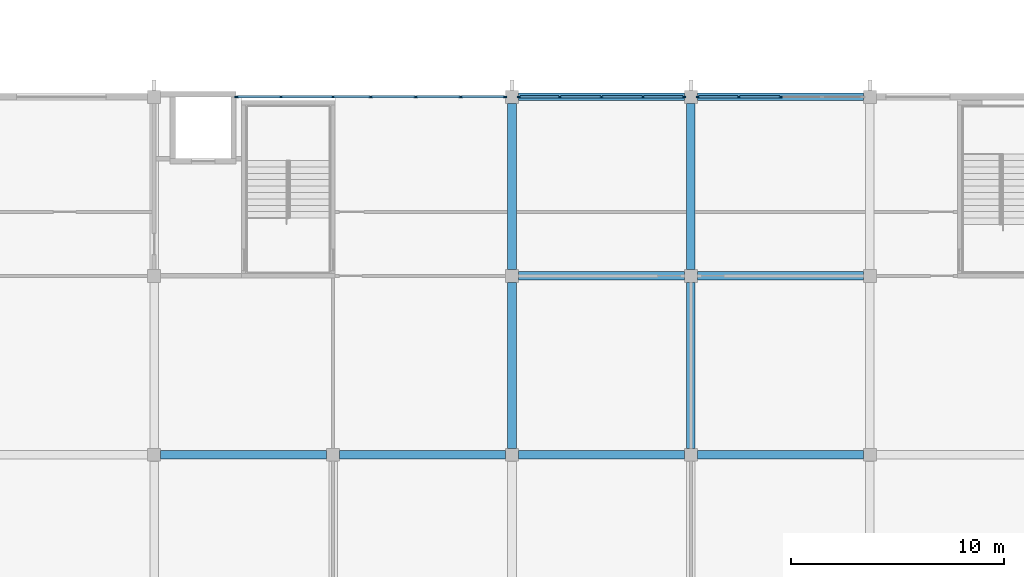
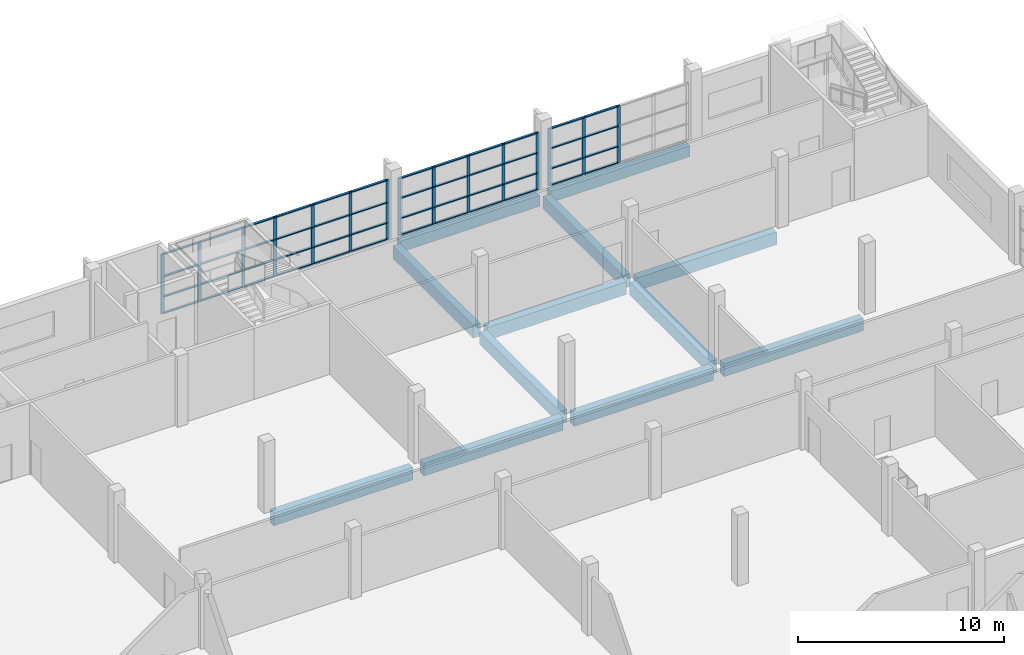
# One storey, part 5 of 56: 63 members, 12 beams, 3 elements without a shape of their own.
"""IFC4 building model written with IfcOpenShell, lengths in metres."""

from ifc_helpers import new_model, si_unit, direction, frame, origin, origin_2d, place, context, subcontext, project, spatial, rectangle, extrude, material, layer, layer_set, material_profile, profile_set, type_object, element, aggregate, save


model = new_model("IFC4")

# Units and contexts
model_context = context("Model", 3, precision=1e-05, world=origin(), true_north=direction((0.0, 1.0)))
body_context = subcontext(model_context, "Body", "Model", "MODEL_VIEW")
ifc_project = project(units=[si_unit("LENGTHUNIT", "METRE"), si_unit("AREAUNIT", "SQUARE_METRE"), si_unit("VOLUMEUNIT", "CUBIC_METRE"), si_unit("PLANEANGLEUNIT", "RADIAN"), si_unit("MASSUNIT", "GRAM", prefix="KILO")], contexts=[model_context])

# Site, building, storey
site_placement = place(None, origin())
site = spatial("IfcSite", under=ifc_project, at=site_placement, CompositionType="ELEMENT")
building_placement = place(site_placement, origin())
building = spatial("IfcBuilding", under=site, at=building_placement, Name="Rulbaag Community and Learning Centre", CompositionType="ELEMENT")
storey_placement = place(building_placement, frame((0.0, 0.0, 9.89990234375)))
storey = spatial("IfcBuildingStorey", under=building, at=storey_placement, Name="L02", CompositionType="ELEMENT", Elevation=9.89990234375)

# Beams
ifc_material_1 = material(Name="Concrete M40", Category="concrete")
ifc_material_profile_1 = material_profile(ifc_material_1, rectangle(XDim=0.39990234375, YDim=0.75, at=origin_2d()), Name="RB400x750")
ifc_profile_set_1 = profile_set([ifc_material_profile_1], Name="Concrete M40")
beam_type_1 = type_object("IfcBeamType", Name="B22 Classroom floor beam 400x750 Concrete M40", PredefinedType="BEAM", material=ifc_profile_set_1)
for number, where, z_axis, x_axis, name in (
    (1, (126.304931640625, 33.60009765625, -0.625), (1.0, 0.0, 0.0), (0.0, 1.0, 0.0), "BM-L02-16E-17E"),
    (2, (134.705078125, 33.60009765625, -0.625), (1.0, 0.0, 0.0), (0.0, 1.0, 0.0), "BM-L02-17E-18E"),
    (3, (143.10498046875, 33.60009765625, -0.625), (1.0, 0.0, 0.0), (0.0, 1.0, 0.0), "BM-L02-18E-19E"),
    (4, (142.800048828125, 33.905029296875, -0.625), (0.0, 1.0, 0.0), (-1.0, 0.0, 0.0), "BM-L02-18E-18F"),
    (5, (143.10498046875, 42.0, -0.625), (1.0, 0.0, 0.0), (0.0, 1.0, 0.0), "BM-L02-18F-19F"),
    (6, (142.800048828125, 42.304931640625, -0.625), (0.0, 1.0, 0.0), (-1.0, 0.0, 0.0), "BM-L02-18F-18G"),
    (7, (151.5048828125, 33.60009765625, -0.625), (1.0, 0.0, 0.0), (0.0, 1.0, 0.0), "BM-L02-19E-20E"),
    (8, (151.199951171875, 33.905029296875, -0.625), (0.0, 1.0, 0.0), (-1.0, 0.0, 0.0), "BM-L02-19E-19F"),
    (9, (151.5048828125, 42.0, -0.625), (1.0, 0.0, 0.0), (0.0, 1.0, 0.0), "BM-L02-19F-20F"),
    (10, (151.199951171875, 42.304931640625, -0.625), (0.0, 1.0, 0.0), (-1.0, 0.0, 0.0), "BM-L02-19F-19G"),
):
    element("IfcBeam", number, at=place(storey_placement, frame(where, z_axis=z_axis, x_axis=x_axis)), inside=storey, type_object=beam_type_1, Name=name, PredefinedType="BEAM", context=body_context, shape_type="SweptSolid", body=[
        extrude(rectangle(XDim=0.39990234375, YDim=0.75, at=origin_2d()), origin(), (0.0, 0.0, 1.0), 7.7900390625),
    ])
ifc_material_profile_2 = material_profile(ifc_material_1, rectangle(XDim=0.35009765625, YDim=0.64990234375, at=origin_2d()), Name="RB350x650")
ifc_profile_set_2 = profile_set([ifc_material_profile_2], Name="Concrete M40")
beam_type_2 = type_object("IfcBeamType", Name="B8 Hall wing edge beam 350x650 Concrete M40", PredefinedType="BEAM", material=ifc_profile_set_2)
for number, where, z_axis, x_axis, name in (
    (11, (143.10498046875, 50.39990234375, -0.574951171875), (1.0, 0.0, 0.0), (0.0, 1.0, 0.0), "BM-L02-18G-19G"),
    (12, (151.5048828125, 50.39990234375, -0.574951171875), (1.0, 0.0, 0.0), (0.0, 1.0, 0.0), "BM-L02-19G-20G"),
):
    element("IfcBeam", number, at=place(storey_placement, frame(where, z_axis=z_axis, x_axis=x_axis)), inside=storey, type_object=beam_type_2, Name=name, PredefinedType="BEAM", context=body_context, shape_type="SweptSolid", body=[
        extrude(rectangle(XDim=0.35009765625, YDim=0.64990234375, at=origin_2d()), origin(), (0.0, 0.0, 1.0), 7.7900390625),
    ])

# Curtain wall, members
ifc_material_2 = material(Name="Aluminium", Category="aluminium")
ifc_layer = layer(ifc_material_2, 0.14990234375)
ifc_layer_set = layer_set([ifc_layer], Name="CW-L")
curtain_wall_type = type_object("IfcCurtainWallType", Name="CW-L", PredefinedType="USERDEFINED", material=ifc_layer_set)
curtain_wall_1_placement = place(storey_placement, origin())
curtain_wall_1 = element("IfcCurtainWall", 13, at=curtain_wall_1_placement, inside=storey, type_object=curtain_wall_type, Name="GL-L02-03", ObjectType="STICK CURTAIN WALL", PredefinedType="USERDEFINED")
ifc_material_3 = material(Name="Aluminium mullion", Category="aluminium")
ifc_material_profile_3 = material_profile(ifc_material_3, rectangle(XDim=0.06494140625, YDim=0.175048828125, at=origin_2d()), Name="AL 65x175")
ifc_profile_set_3 = profile_set([ifc_material_profile_3], Name="Aluminium mullion")
member_type_1 = type_object("IfcMemberType", Name="CW-L-MUL", PredefinedType="MULLION", material=ifc_profile_set_3)
member_1_placement = place(storey_placement, frame((129.882568359375, 50.39990234375, 0.0), z_axis=(0.0, 0.0, 1.0), x_axis=(0.0, 1.0, 0.0)))
member_1 = element("IfcMember", 14, at=member_1_placement, type_object=member_type_1, Name="GL mullion 1", PredefinedType="MULLION", context=body_context, shape_type="SweptSolid", body=[
    extrude(rectangle(XDim=0.06494140625, YDim=0.175048828125, at=origin_2d()), origin(), (0.0, 0.0, 1.0), 3.550048828125),
])
member_2_placement = place(storey_placement, frame((131.958251953125, 50.39990234375, 0.0), z_axis=(0.0, 0.0, 1.0), x_axis=(0.0, 1.0, 0.0)))
member_2 = element("IfcMember", 15, at=member_2_placement, type_object=member_type_1, Name="GL mullion 2", PredefinedType="MULLION", context=body_context, shape_type="SweptSolid", body=[
    extrude(rectangle(XDim=0.06494140625, YDim=0.175048828125, at=origin_2d()), origin(), (0.0, 0.0, 1.0), 3.550048828125),
])
member_3_placement = place(storey_placement, frame((134.39990234375, 50.39990234375, 0.0), z_axis=(0.0, 0.0, 1.0), x_axis=(0.0, 1.0, 0.0)))
member_3 = element("IfcMember", 16, at=member_3_placement, type_object=member_type_1, Name="GL mullion 3", PredefinedType="MULLION", context=body_context, shape_type="SweptSolid", body=[
    extrude(rectangle(XDim=0.06494140625, YDim=0.175048828125, at=origin_2d()), origin(), (0.0, 0.0, 1.0), 3.550048828125),
])
member_4_placement = place(storey_placement, frame((136.175048828125, 50.39990234375, 0.0), z_axis=(0.0, 0.0, 1.0), x_axis=(0.0, 1.0, 0.0)))
member_4 = element("IfcMember", 17, at=member_4_placement, type_object=member_type_1, Name="GL mullion 4", PredefinedType="MULLION", context=body_context, shape_type="SweptSolid", body=[
    extrude(rectangle(XDim=0.06494140625, YDim=0.175048828125, at=origin_2d()), origin(), (0.0, 0.0, 1.0), 3.550048828125),
])
member_5_placement = place(storey_placement, frame((138.283447265625, 50.39990234375, 0.0), z_axis=(0.0, 0.0, 1.0), x_axis=(0.0, 1.0, 0.0)))
member_5 = element("IfcMember", 18, at=member_5_placement, type_object=member_type_1, Name="GL mullion 5", PredefinedType="MULLION", context=body_context, shape_type="SweptSolid", body=[
    extrude(rectangle(XDim=0.06494140625, YDim=0.175048828125, at=origin_2d()), origin(), (0.0, 0.0, 1.0), 3.550048828125),
])
member_6_placement = place(storey_placement, frame((140.3916015625, 50.39990234375, 0.0), z_axis=(0.0, 0.0, 1.0), x_axis=(0.0, 1.0, 0.0)))
member_6 = element("IfcMember", 19, at=member_6_placement, type_object=member_type_1, Name="GL mullion 6", PredefinedType="MULLION", context=body_context, shape_type="SweptSolid", body=[
    extrude(rectangle(XDim=0.06494140625, YDim=0.175048828125, at=origin_2d()), origin(), (0.0, 0.0, 1.0), 3.550048828125),
])
member_7_placement = place(storey_placement, frame((142.467529296875, 50.39990234375, 0.0), z_axis=(0.0, 0.0, 1.0), x_axis=(0.0, 1.0, 0.0)))
member_7 = element("IfcMember", 20, at=member_7_placement, type_object=member_type_1, Name="GL mullion 7", PredefinedType="MULLION", context=body_context, shape_type="SweptSolid", body=[
    extrude(rectangle(XDim=0.06494140625, YDim=0.175048828125, at=origin_2d()), origin(), (0.0, 0.0, 1.0), 3.550048828125),
])

curtain_wall_2_placement = place(storey_placement, origin())
curtain_wall_2 = element("IfcCurtainWall", 21, at=curtain_wall_2_placement, inside=storey, type_object=curtain_wall_type, Name="GL-L02-04", ObjectType="STICK CURTAIN WALL", PredefinedType="USERDEFINED")
member_8_placement = place(storey_placement, frame((143.132568359375, 50.39990234375, 0.0), z_axis=(0.0, 0.0, 1.0), x_axis=(0.0, 1.0, 0.0)))
member_8 = element("IfcMember", 22, at=member_8_placement, type_object=member_type_1, Name="GL mullion 1", PredefinedType="MULLION", context=body_context, shape_type="SweptSolid", body=[
    extrude(rectangle(XDim=0.06494140625, YDim=0.175048828125, at=origin_2d()), origin(), (0.0, 0.0, 1.0), 3.400146484375),
])
member_9_placement = place(storey_placement, frame((145.050048828125, 50.39990234375, 0.0), z_axis=(0.0, 0.0, 1.0), x_axis=(0.0, 1.0, 0.0)))
member_9 = element("IfcMember", 23, at=member_9_placement, type_object=member_type_1, Name="GL mullion 2", PredefinedType="MULLION", context=body_context, shape_type="SweptSolid", body=[
    extrude(rectangle(XDim=0.06494140625, YDim=0.175048828125, at=origin_2d()), origin(), (0.0, 0.0, 1.0), 3.400146484375),
])
member_10_placement = place(storey_placement, frame((147.0, 50.39990234375, 0.0), z_axis=(0.0, 0.0, 1.0), x_axis=(0.0, 1.0, 0.0)))
member_10 = element("IfcMember", 24, at=member_10_placement, type_object=member_type_1, Name="GL mullion 3", PredefinedType="MULLION", context=body_context, shape_type="SweptSolid", body=[
    extrude(rectangle(XDim=0.06494140625, YDim=0.175048828125, at=origin_2d()), origin(), (0.0, 0.0, 1.0), 3.400146484375),
])
member_11_placement = place(storey_placement, frame((148.949951171875, 50.39990234375, 0.0), z_axis=(0.0, 0.0, 1.0), x_axis=(0.0, 1.0, 0.0)))
member_11 = element("IfcMember", 25, at=member_11_placement, type_object=member_type_1, Name="GL mullion 4", PredefinedType="MULLION", context=body_context, shape_type="SweptSolid", body=[
    extrude(rectangle(XDim=0.06494140625, YDim=0.175048828125, at=origin_2d()), origin(), (0.0, 0.0, 1.0), 3.400146484375),
])
member_12_placement = place(storey_placement, frame((150.867431640625, 50.39990234375, 0.0), z_axis=(0.0, 0.0, 1.0), x_axis=(0.0, 1.0, 0.0)))
member_12 = element("IfcMember", 26, at=member_12_placement, type_object=member_type_1, Name="GL mullion 5", PredefinedType="MULLION", context=body_context, shape_type="SweptSolid", body=[
    extrude(rectangle(XDim=0.06494140625, YDim=0.175048828125, at=origin_2d()), origin(), (0.0, 0.0, 1.0), 3.400146484375),
])

curtain_wall_3_placement = place(storey_placement, origin())
curtain_wall_3 = element("IfcCurtainWall", 27, at=curtain_wall_3_placement, inside=storey, type_object=curtain_wall_type, Name="GL-L02-05", ObjectType="STICK CURTAIN WALL", PredefinedType="USERDEFINED")
member_13_placement = place(storey_placement, frame((151.532470703125, 50.39990234375, 0.0), z_axis=(0.0, 0.0, 1.0), x_axis=(0.0, 1.0, 0.0)))
member_13 = element("IfcMember", 28, at=member_13_placement, type_object=member_type_1, Name="GL mullion 1", PredefinedType="MULLION", context=body_context, shape_type="SweptSolid", body=[
    extrude(rectangle(XDim=0.06494140625, YDim=0.175048828125, at=origin_2d()), origin(), (0.0, 0.0, 1.0), 3.400146484375),
])
member_14_placement = place(storey_placement, frame((153.449951171875, 50.39990234375, 0.0), z_axis=(0.0, 0.0, 1.0), x_axis=(0.0, 1.0, 0.0)))
member_14 = element("IfcMember", 29, at=member_14_placement, type_object=member_type_1, Name="GL mullion 2", PredefinedType="MULLION", context=body_context, shape_type="SweptSolid", body=[
    extrude(rectangle(XDim=0.06494140625, YDim=0.175048828125, at=origin_2d()), origin(), (0.0, 0.0, 1.0), 3.400146484375),
])
member_15_placement = place(storey_placement, frame((155.39990234375, 50.39990234375, 0.0), z_axis=(0.0, 0.0, 1.0), x_axis=(0.0, 1.0, 0.0)))
member_15 = element("IfcMember", 30, at=member_15_placement, type_object=member_type_1, Name="GL mullion 3", PredefinedType="MULLION", context=body_context, shape_type="SweptSolid", body=[
    extrude(rectangle(XDim=0.06494140625, YDim=0.175048828125, at=origin_2d()), origin(), (0.0, 0.0, 1.0), 3.400146484375),
])

# Member
ifc_material_4 = material(Name="Aluminium transom", Category="aluminium")
ifc_material_profile_4 = material_profile(ifc_material_4, rectangle(XDim=0.125, YDim=0.06494140625, at=origin_2d()), Name="AL 65x125 T")
ifc_profile_set_4 = profile_set([ifc_material_profile_4], Name="Aluminium transom")
member_type_2 = type_object("IfcMemberType", Name="CW-L-TRN", PredefinedType="USERDEFINED", material=ifc_profile_set_4)
member_16_placement = place(storey_placement, frame((129.9150390625, 50.39990234375, 0.03271484375), z_axis=(1.0, 0.0, 0.0), x_axis=(0.0, 1.0, 0.0)))
member_16 = element("IfcMember", 31, at=member_16_placement, type_object=member_type_2, Name="GL transom 1.1", ObjectType="TRANSOM", PredefinedType="USERDEFINED", context=body_context, shape_type="SweptSolid", body=[
    extrude(rectangle(XDim=0.125, YDim=0.06494140625, at=origin_2d()), origin(), (0.0, 0.0, 1.0), 2.0107421875),
])

member_17_placement = place(storey_placement, frame((129.9150390625, 50.39990234375, 1.0), z_axis=(1.0, 0.0, 0.0), x_axis=(0.0, 1.0, 0.0)))
member_17 = element("IfcMember", 32, at=member_17_placement, type_object=member_type_2, Name="GL transom 1.2", ObjectType="TRANSOM", PredefinedType="USERDEFINED", context=body_context, shape_type="SweptSolid", body=[
    extrude(rectangle(XDim=0.125, YDim=0.06494140625, at=origin_2d()), origin(), (0.0, 0.0, 1.0), 2.0107421875),
])

member_18_placement = place(storey_placement, frame((129.9150390625, 50.39990234375, 2.2001953125), z_axis=(1.0, 0.0, 0.0), x_axis=(0.0, 1.0, 0.0)))
member_18 = element("IfcMember", 33, at=member_18_placement, type_object=member_type_2, Name="GL transom 1.3", ObjectType="TRANSOM", PredefinedType="USERDEFINED", context=body_context, shape_type="SweptSolid", body=[
    extrude(rectangle(XDim=0.125, YDim=0.06494140625, at=origin_2d()), origin(), (0.0, 0.0, 1.0), 2.0107421875),
])

member_19_placement = place(storey_placement, frame((129.9150390625, 50.39990234375, 3.517578125), z_axis=(1.0, 0.0, 0.0), x_axis=(0.0, 1.0, 0.0)))
member_19 = element("IfcMember", 34, at=member_19_placement, type_object=member_type_2, Name="GL transom 1.4", ObjectType="TRANSOM", PredefinedType="USERDEFINED", context=body_context, shape_type="SweptSolid", body=[
    extrude(rectangle(XDim=0.125, YDim=0.06494140625, at=origin_2d()), origin(), (0.0, 0.0, 1.0), 2.0107421875),
])

member_20_placement = place(storey_placement, frame((131.99072265625, 50.39990234375, 0.03271484375), z_axis=(1.0, 0.0, 0.0), x_axis=(0.0, 1.0, 0.0)))
member_20 = element("IfcMember", 35, at=member_20_placement, type_object=member_type_2, Name="GL transom 2.1", ObjectType="TRANSOM", PredefinedType="USERDEFINED", context=body_context, shape_type="SweptSolid", body=[
    extrude(rectangle(XDim=0.125, YDim=0.06494140625, at=origin_2d()), origin(), (0.0, 0.0, 1.0), 2.376708984375),
])

member_21_placement = place(storey_placement, frame((131.99072265625, 50.39990234375, 1.0), z_axis=(1.0, 0.0, 0.0), x_axis=(0.0, 1.0, 0.0)))
member_21 = element("IfcMember", 36, at=member_21_placement, type_object=member_type_2, Name="GL transom 2.2", ObjectType="TRANSOM", PredefinedType="USERDEFINED", context=body_context, shape_type="SweptSolid", body=[
    extrude(rectangle(XDim=0.125, YDim=0.06494140625, at=origin_2d()), origin(), (0.0, 0.0, 1.0), 2.376708984375),
])

member_22_placement = place(storey_placement, frame((131.99072265625, 50.39990234375, 2.2001953125), z_axis=(1.0, 0.0, 0.0), x_axis=(0.0, 1.0, 0.0)))
member_22 = element("IfcMember", 37, at=member_22_placement, type_object=member_type_2, Name="GL transom 2.3", ObjectType="TRANSOM", PredefinedType="USERDEFINED", context=body_context, shape_type="SweptSolid", body=[
    extrude(rectangle(XDim=0.125, YDim=0.06494140625, at=origin_2d()), origin(), (0.0, 0.0, 1.0), 2.376708984375),
])

member_23_placement = place(storey_placement, frame((131.99072265625, 50.39990234375, 3.517578125), z_axis=(1.0, 0.0, 0.0), x_axis=(0.0, 1.0, 0.0)))
member_23 = element("IfcMember", 38, at=member_23_placement, type_object=member_type_2, Name="GL transom 2.4", ObjectType="TRANSOM", PredefinedType="USERDEFINED", context=body_context, shape_type="SweptSolid", body=[
    extrude(rectangle(XDim=0.125, YDim=0.06494140625, at=origin_2d()), origin(), (0.0, 0.0, 1.0), 2.376708984375),
])

member_24_placement = place(storey_placement, frame((134.4326171875, 50.39990234375, 0.03271484375), z_axis=(1.0, 0.0, 0.0), x_axis=(0.0, 1.0, 0.0)))
member_24 = element("IfcMember", 39, at=member_24_placement, type_object=member_type_2, Name="GL transom 3.1", ObjectType="TRANSOM", PredefinedType="USERDEFINED", context=body_context, shape_type="SweptSolid", body=[
    extrude(rectangle(XDim=0.125, YDim=0.06494140625, at=origin_2d()), origin(), (0.0, 0.0, 1.0), 1.7099609375),
])

member_25_placement = place(storey_placement, frame((134.4326171875, 50.39990234375, 1.0), z_axis=(1.0, 0.0, 0.0), x_axis=(0.0, 1.0, 0.0)))
member_25 = element("IfcMember", 40, at=member_25_placement, type_object=member_type_2, Name="GL transom 3.2", ObjectType="TRANSOM", PredefinedType="USERDEFINED", context=body_context, shape_type="SweptSolid", body=[
    extrude(rectangle(XDim=0.125, YDim=0.06494140625, at=origin_2d()), origin(), (0.0, 0.0, 1.0), 1.7099609375),
])

member_26_placement = place(storey_placement, frame((134.4326171875, 50.39990234375, 2.2001953125), z_axis=(1.0, 0.0, 0.0), x_axis=(0.0, 1.0, 0.0)))
member_26 = element("IfcMember", 41, at=member_26_placement, type_object=member_type_2, Name="GL transom 3.3", ObjectType="TRANSOM", PredefinedType="USERDEFINED", context=body_context, shape_type="SweptSolid", body=[
    extrude(rectangle(XDim=0.125, YDim=0.06494140625, at=origin_2d()), origin(), (0.0, 0.0, 1.0), 1.7099609375),
])

member_27_placement = place(storey_placement, frame((134.4326171875, 50.39990234375, 3.517578125), z_axis=(1.0, 0.0, 0.0), x_axis=(0.0, 1.0, 0.0)))
member_27 = element("IfcMember", 42, at=member_27_placement, type_object=member_type_2, Name="GL transom 3.4", ObjectType="TRANSOM", PredefinedType="USERDEFINED", context=body_context, shape_type="SweptSolid", body=[
    extrude(rectangle(XDim=0.125, YDim=0.06494140625, at=origin_2d()), origin(), (0.0, 0.0, 1.0), 1.7099609375),
])

member_28_placement = place(storey_placement, frame((136.20751953125, 50.39990234375, 0.03271484375), z_axis=(1.0, 0.0, 0.0), x_axis=(0.0, 1.0, 0.0)))
member_28 = element("IfcMember", 43, at=member_28_placement, type_object=member_type_2, Name="GL transom 4.1", ObjectType="TRANSOM", PredefinedType="USERDEFINED", context=body_context, shape_type="SweptSolid", body=[
    extrude(rectangle(XDim=0.125, YDim=0.06494140625, at=origin_2d()), origin(), (0.0, 0.0, 1.0), 2.043212890625),
])

member_29_placement = place(storey_placement, frame((136.20751953125, 50.39990234375, 1.0), z_axis=(1.0, 0.0, 0.0), x_axis=(0.0, 1.0, 0.0)))
member_29 = element("IfcMember", 44, at=member_29_placement, type_object=member_type_2, Name="GL transom 4.2", ObjectType="TRANSOM", PredefinedType="USERDEFINED", context=body_context, shape_type="SweptSolid", body=[
    extrude(rectangle(XDim=0.125, YDim=0.06494140625, at=origin_2d()), origin(), (0.0, 0.0, 1.0), 2.043212890625),
])

member_30_placement = place(storey_placement, frame((136.20751953125, 50.39990234375, 2.2001953125), z_axis=(1.0, 0.0, 0.0), x_axis=(0.0, 1.0, 0.0)))
member_30 = element("IfcMember", 45, at=member_30_placement, type_object=member_type_2, Name="GL transom 4.3", ObjectType="TRANSOM", PredefinedType="USERDEFINED", context=body_context, shape_type="SweptSolid", body=[
    extrude(rectangle(XDim=0.125, YDim=0.06494140625, at=origin_2d()), origin(), (0.0, 0.0, 1.0), 2.043212890625),
])

member_31_placement = place(storey_placement, frame((136.20751953125, 50.39990234375, 3.517578125), z_axis=(1.0, 0.0, 0.0), x_axis=(0.0, 1.0, 0.0)))
member_31 = element("IfcMember", 46, at=member_31_placement, type_object=member_type_2, Name="GL transom 4.4", ObjectType="TRANSOM", PredefinedType="USERDEFINED", context=body_context, shape_type="SweptSolid", body=[
    extrude(rectangle(XDim=0.125, YDim=0.06494140625, at=origin_2d()), origin(), (0.0, 0.0, 1.0), 2.043212890625),
])

member_32_placement = place(storey_placement, frame((138.31591796875, 50.39990234375, 0.03271484375), z_axis=(1.0, 0.0, 0.0), x_axis=(0.0, 1.0, 0.0)))
member_32 = element("IfcMember", 47, at=member_32_placement, type_object=member_type_2, Name="GL transom 5.1", ObjectType="TRANSOM", PredefinedType="USERDEFINED", context=body_context, shape_type="SweptSolid", body=[
    extrude(rectangle(XDim=0.125, YDim=0.06494140625, at=origin_2d()), origin(), (0.0, 0.0, 1.0), 2.043212890625),
])

member_33_placement = place(storey_placement, frame((138.31591796875, 50.39990234375, 1.0), z_axis=(1.0, 0.0, 0.0), x_axis=(0.0, 1.0, 0.0)))
member_33 = element("IfcMember", 48, at=member_33_placement, type_object=member_type_2, Name="GL transom 5.2", ObjectType="TRANSOM", PredefinedType="USERDEFINED", context=body_context, shape_type="SweptSolid", body=[
    extrude(rectangle(XDim=0.125, YDim=0.06494140625, at=origin_2d()), origin(), (0.0, 0.0, 1.0), 2.043212890625),
])

member_34_placement = place(storey_placement, frame((138.31591796875, 50.39990234375, 2.2001953125), z_axis=(1.0, 0.0, 0.0), x_axis=(0.0, 1.0, 0.0)))
member_34 = element("IfcMember", 49, at=member_34_placement, type_object=member_type_2, Name="GL transom 5.3", ObjectType="TRANSOM", PredefinedType="USERDEFINED", context=body_context, shape_type="SweptSolid", body=[
    extrude(rectangle(XDim=0.125, YDim=0.06494140625, at=origin_2d()), origin(), (0.0, 0.0, 1.0), 2.043212890625),
])

member_35_placement = place(storey_placement, frame((138.31591796875, 50.39990234375, 3.517578125), z_axis=(1.0, 0.0, 0.0), x_axis=(0.0, 1.0, 0.0)))
member_35 = element("IfcMember", 50, at=member_35_placement, type_object=member_type_2, Name="GL transom 5.4", ObjectType="TRANSOM", PredefinedType="USERDEFINED", context=body_context, shape_type="SweptSolid", body=[
    extrude(rectangle(XDim=0.125, YDim=0.06494140625, at=origin_2d()), origin(), (0.0, 0.0, 1.0), 2.043212890625),
])

member_36_placement = place(storey_placement, frame((140.424072265625, 50.39990234375, 0.03271484375), z_axis=(1.0, 0.0, 0.0), x_axis=(0.0, 1.0, 0.0)))
member_36 = element("IfcMember", 51, at=member_36_placement, type_object=member_type_2, Name="GL transom 6.1", ObjectType="TRANSOM", PredefinedType="USERDEFINED", context=body_context, shape_type="SweptSolid", body=[
    extrude(rectangle(XDim=0.125, YDim=0.06494140625, at=origin_2d()), origin(), (0.0, 0.0, 1.0), 2.010986328125),
])

member_37_placement = place(storey_placement, frame((140.424072265625, 50.39990234375, 1.0), z_axis=(1.0, 0.0, 0.0), x_axis=(0.0, 1.0, 0.0)))
member_37 = element("IfcMember", 52, at=member_37_placement, type_object=member_type_2, Name="GL transom 6.2", ObjectType="TRANSOM", PredefinedType="USERDEFINED", context=body_context, shape_type="SweptSolid", body=[
    extrude(rectangle(XDim=0.125, YDim=0.06494140625, at=origin_2d()), origin(), (0.0, 0.0, 1.0), 2.010986328125),
])

member_38_placement = place(storey_placement, frame((140.424072265625, 50.39990234375, 2.2001953125), z_axis=(1.0, 0.0, 0.0), x_axis=(0.0, 1.0, 0.0)))
member_38 = element("IfcMember", 53, at=member_38_placement, type_object=member_type_2, Name="GL transom 6.3", ObjectType="TRANSOM", PredefinedType="USERDEFINED", context=body_context, shape_type="SweptSolid", body=[
    extrude(rectangle(XDim=0.125, YDim=0.06494140625, at=origin_2d()), origin(), (0.0, 0.0, 1.0), 2.010986328125),
])

member_39_placement = place(storey_placement, frame((140.424072265625, 50.39990234375, 3.517578125), z_axis=(1.0, 0.0, 0.0), x_axis=(0.0, 1.0, 0.0)))
member_39 = element("IfcMember", 54, at=member_39_placement, type_object=member_type_2, Name="GL transom 6.4", ObjectType="TRANSOM", PredefinedType="USERDEFINED", context=body_context, shape_type="SweptSolid", body=[
    extrude(rectangle(XDim=0.125, YDim=0.06494140625, at=origin_2d()), origin(), (0.0, 0.0, 1.0), 2.010986328125),
])

aggregate(curtain_wall_1, [member_1, member_2, member_3, member_4, member_5, member_6, member_7, member_16, member_17, member_18, member_19, member_20, member_21, member_22, member_23, member_24, member_25, member_26, member_27, member_28, member_29, member_30, member_31, member_32, member_33, member_34, member_35, member_36, member_37, member_38, member_39])

member_40_placement = place(storey_placement, frame((143.1650390625, 50.39990234375, 0.03271484375), z_axis=(1.0, 0.0, 0.0), x_axis=(0.0, 1.0, 0.0)))
member_40 = element("IfcMember", 55, at=member_40_placement, type_object=member_type_2, Name="GL transom 1.1", ObjectType="TRANSOM", PredefinedType="USERDEFINED", context=body_context, shape_type="SweptSolid", body=[
    extrude(rectangle(XDim=0.125, YDim=0.06494140625, at=origin_2d()), origin(), (0.0, 0.0, 1.0), 1.8525390625),
])

member_41_placement = place(storey_placement, frame((143.1650390625, 50.39990234375, 1.0), z_axis=(1.0, 0.0, 0.0), x_axis=(0.0, 1.0, 0.0)))
member_41 = element("IfcMember", 56, at=member_41_placement, type_object=member_type_2, Name="GL transom 1.2", ObjectType="TRANSOM", PredefinedType="USERDEFINED", context=body_context, shape_type="SweptSolid", body=[
    extrude(rectangle(XDim=0.125, YDim=0.06494140625, at=origin_2d()), origin(), (0.0, 0.0, 1.0), 1.8525390625),
])

member_42_placement = place(storey_placement, frame((143.1650390625, 50.39990234375, 2.2001953125), z_axis=(1.0, 0.0, 0.0), x_axis=(0.0, 1.0, 0.0)))
member_42 = element("IfcMember", 57, at=member_42_placement, type_object=member_type_2, Name="GL transom 1.3", ObjectType="TRANSOM", PredefinedType="USERDEFINED", context=body_context, shape_type="SweptSolid", body=[
    extrude(rectangle(XDim=0.125, YDim=0.06494140625, at=origin_2d()), origin(), (0.0, 0.0, 1.0), 1.8525390625),
])

member_43_placement = place(storey_placement, frame((143.1650390625, 50.39990234375, 3.36767578125), z_axis=(1.0, 0.0, 0.0), x_axis=(0.0, 1.0, 0.0)))
member_43 = element("IfcMember", 58, at=member_43_placement, type_object=member_type_2, Name="GL transom 1.4", ObjectType="TRANSOM", PredefinedType="USERDEFINED", context=body_context, shape_type="SweptSolid", body=[
    extrude(rectangle(XDim=0.125, YDim=0.06494140625, at=origin_2d()), origin(), (0.0, 0.0, 1.0), 1.8525390625),
])

member_44_placement = place(storey_placement, frame((145.08251953125, 50.39990234375, 0.03271484375), z_axis=(1.0, 0.0, 0.0), x_axis=(0.0, 1.0, 0.0)))
member_44 = element("IfcMember", 59, at=member_44_placement, type_object=member_type_2, Name="GL transom 2.1", ObjectType="TRANSOM", PredefinedType="USERDEFINED", context=body_context, shape_type="SweptSolid", body=[
    extrude(rectangle(XDim=0.125, YDim=0.06494140625, at=origin_2d()), origin(), (0.0, 0.0, 1.0), 1.885009765625),
])

member_45_placement = place(storey_placement, frame((145.08251953125, 50.39990234375, 1.0), z_axis=(1.0, 0.0, 0.0), x_axis=(0.0, 1.0, 0.0)))
member_45 = element("IfcMember", 60, at=member_45_placement, type_object=member_type_2, Name="GL transom 2.2", ObjectType="TRANSOM", PredefinedType="USERDEFINED", context=body_context, shape_type="SweptSolid", body=[
    extrude(rectangle(XDim=0.125, YDim=0.06494140625, at=origin_2d()), origin(), (0.0, 0.0, 1.0), 1.885009765625),
])

member_46_placement = place(storey_placement, frame((145.08251953125, 50.39990234375, 2.2001953125), z_axis=(1.0, 0.0, 0.0), x_axis=(0.0, 1.0, 0.0)))
member_46 = element("IfcMember", 61, at=member_46_placement, type_object=member_type_2, Name="GL transom 2.3", ObjectType="TRANSOM", PredefinedType="USERDEFINED", context=body_context, shape_type="SweptSolid", body=[
    extrude(rectangle(XDim=0.125, YDim=0.06494140625, at=origin_2d()), origin(), (0.0, 0.0, 1.0), 1.885009765625),
])

member_47_placement = place(storey_placement, frame((145.08251953125, 50.39990234375, 3.36767578125), z_axis=(1.0, 0.0, 0.0), x_axis=(0.0, 1.0, 0.0)))
member_47 = element("IfcMember", 62, at=member_47_placement, type_object=member_type_2, Name="GL transom 2.4", ObjectType="TRANSOM", PredefinedType="USERDEFINED", context=body_context, shape_type="SweptSolid", body=[
    extrude(rectangle(XDim=0.125, YDim=0.06494140625, at=origin_2d()), origin(), (0.0, 0.0, 1.0), 1.885009765625),
])

member_48_placement = place(storey_placement, frame((147.032470703125, 50.39990234375, 0.03271484375), z_axis=(1.0, 0.0, 0.0), x_axis=(0.0, 1.0, 0.0)))
member_48 = element("IfcMember", 63, at=member_48_placement, type_object=member_type_2, Name="GL transom 3.1", ObjectType="TRANSOM", PredefinedType="USERDEFINED", context=body_context, shape_type="SweptSolid", body=[
    extrude(rectangle(XDim=0.125, YDim=0.06494140625, at=origin_2d()), origin(), (0.0, 0.0, 1.0), 1.885009765625),
])

member_49_placement = place(storey_placement, frame((147.032470703125, 50.39990234375, 1.0), z_axis=(1.0, 0.0, 0.0), x_axis=(0.0, 1.0, 0.0)))
member_49 = element("IfcMember", 64, at=member_49_placement, type_object=member_type_2, Name="GL transom 3.2", ObjectType="TRANSOM", PredefinedType="USERDEFINED", context=body_context, shape_type="SweptSolid", body=[
    extrude(rectangle(XDim=0.125, YDim=0.06494140625, at=origin_2d()), origin(), (0.0, 0.0, 1.0), 1.885009765625),
])

member_50_placement = place(storey_placement, frame((147.032470703125, 50.39990234375, 2.2001953125), z_axis=(1.0, 0.0, 0.0), x_axis=(0.0, 1.0, 0.0)))
member_50 = element("IfcMember", 65, at=member_50_placement, type_object=member_type_2, Name="GL transom 3.3", ObjectType="TRANSOM", PredefinedType="USERDEFINED", context=body_context, shape_type="SweptSolid", body=[
    extrude(rectangle(XDim=0.125, YDim=0.06494140625, at=origin_2d()), origin(), (0.0, 0.0, 1.0), 1.885009765625),
])

member_51_placement = place(storey_placement, frame((147.032470703125, 50.39990234375, 3.36767578125), z_axis=(1.0, 0.0, 0.0), x_axis=(0.0, 1.0, 0.0)))
member_51 = element("IfcMember", 66, at=member_51_placement, type_object=member_type_2, Name="GL transom 3.4", ObjectType="TRANSOM", PredefinedType="USERDEFINED", context=body_context, shape_type="SweptSolid", body=[
    extrude(rectangle(XDim=0.125, YDim=0.06494140625, at=origin_2d()), origin(), (0.0, 0.0, 1.0), 1.885009765625),
])

member_52_placement = place(storey_placement, frame((148.982421875, 50.39990234375, 0.03271484375), z_axis=(1.0, 0.0, 0.0), x_axis=(0.0, 1.0, 0.0)))
member_52 = element("IfcMember", 67, at=member_52_placement, type_object=member_type_2, Name="GL transom 4.1", ObjectType="TRANSOM", PredefinedType="USERDEFINED", context=body_context, shape_type="SweptSolid", body=[
    extrude(rectangle(XDim=0.125, YDim=0.06494140625, at=origin_2d()), origin(), (0.0, 0.0, 1.0), 1.8525390625),
])

member_53_placement = place(storey_placement, frame((148.982421875, 50.39990234375, 1.0), z_axis=(1.0, 0.0, 0.0), x_axis=(0.0, 1.0, 0.0)))
member_53 = element("IfcMember", 68, at=member_53_placement, type_object=member_type_2, Name="GL transom 4.2", ObjectType="TRANSOM", PredefinedType="USERDEFINED", context=body_context, shape_type="SweptSolid", body=[
    extrude(rectangle(XDim=0.125, YDim=0.06494140625, at=origin_2d()), origin(), (0.0, 0.0, 1.0), 1.8525390625),
])

member_54_placement = place(storey_placement, frame((148.982421875, 50.39990234375, 2.2001953125), z_axis=(1.0, 0.0, 0.0), x_axis=(0.0, 1.0, 0.0)))
member_54 = element("IfcMember", 69, at=member_54_placement, type_object=member_type_2, Name="GL transom 4.3", ObjectType="TRANSOM", PredefinedType="USERDEFINED", context=body_context, shape_type="SweptSolid", body=[
    extrude(rectangle(XDim=0.125, YDim=0.06494140625, at=origin_2d()), origin(), (0.0, 0.0, 1.0), 1.8525390625),
])

member_55_placement = place(storey_placement, frame((148.982421875, 50.39990234375, 3.36767578125), z_axis=(1.0, 0.0, 0.0), x_axis=(0.0, 1.0, 0.0)))
member_55 = element("IfcMember", 70, at=member_55_placement, type_object=member_type_2, Name="GL transom 4.4", ObjectType="TRANSOM", PredefinedType="USERDEFINED", context=body_context, shape_type="SweptSolid", body=[
    extrude(rectangle(XDim=0.125, YDim=0.06494140625, at=origin_2d()), origin(), (0.0, 0.0, 1.0), 1.8525390625),
])

aggregate(curtain_wall_2, [member_8, member_9, member_10, member_11, member_12, member_40, member_41, member_42, member_43, member_44, member_45, member_46, member_47, member_48, member_49, member_50, member_51, member_52, member_53, member_54, member_55])

member_56_placement = place(storey_placement, frame((151.56494140625, 50.39990234375, 0.03271484375), z_axis=(1.0, 0.0, 0.0), x_axis=(0.0, 1.0, 0.0)))
member_56 = element("IfcMember", 71, at=member_56_placement, type_object=member_type_2, Name="GL transom 1.1", ObjectType="TRANSOM", PredefinedType="USERDEFINED", context=body_context, shape_type="SweptSolid", body=[
    extrude(rectangle(XDim=0.125, YDim=0.06494140625, at=origin_2d()), origin(), (0.0, 0.0, 1.0), 1.8525390625),
])

member_57_placement = place(storey_placement, frame((151.56494140625, 50.39990234375, 1.0), z_axis=(1.0, 0.0, 0.0), x_axis=(0.0, 1.0, 0.0)))
member_57 = element("IfcMember", 72, at=member_57_placement, type_object=member_type_2, Name="GL transom 1.2", ObjectType="TRANSOM", PredefinedType="USERDEFINED", context=body_context, shape_type="SweptSolid", body=[
    extrude(rectangle(XDim=0.125, YDim=0.06494140625, at=origin_2d()), origin(), (0.0, 0.0, 1.0), 1.8525390625),
])

member_58_placement = place(storey_placement, frame((151.56494140625, 50.39990234375, 2.2001953125), z_axis=(1.0, 0.0, 0.0), x_axis=(0.0, 1.0, 0.0)))
member_58 = element("IfcMember", 73, at=member_58_placement, type_object=member_type_2, Name="GL transom 1.3", ObjectType="TRANSOM", PredefinedType="USERDEFINED", context=body_context, shape_type="SweptSolid", body=[
    extrude(rectangle(XDim=0.125, YDim=0.06494140625, at=origin_2d()), origin(), (0.0, 0.0, 1.0), 1.8525390625),
])

member_59_placement = place(storey_placement, frame((151.56494140625, 50.39990234375, 3.36767578125), z_axis=(1.0, 0.0, 0.0), x_axis=(0.0, 1.0, 0.0)))
member_59 = element("IfcMember", 74, at=member_59_placement, type_object=member_type_2, Name="GL transom 1.4", ObjectType="TRANSOM", PredefinedType="USERDEFINED", context=body_context, shape_type="SweptSolid", body=[
    extrude(rectangle(XDim=0.125, YDim=0.06494140625, at=origin_2d()), origin(), (0.0, 0.0, 1.0), 1.8525390625),
])

member_60_placement = place(storey_placement, frame((153.482421875, 50.39990234375, 0.03271484375), z_axis=(1.0, 0.0, 0.0), x_axis=(0.0, 1.0, 0.0)))
member_60 = element("IfcMember", 75, at=member_60_placement, type_object=member_type_2, Name="GL transom 2.1", ObjectType="TRANSOM", PredefinedType="USERDEFINED", context=body_context, shape_type="SweptSolid", body=[
    extrude(rectangle(XDim=0.125, YDim=0.06494140625, at=origin_2d()), origin(), (0.0, 0.0, 1.0), 1.885009765625),
])

member_61_placement = place(storey_placement, frame((153.482421875, 50.39990234375, 1.0), z_axis=(1.0, 0.0, 0.0), x_axis=(0.0, 1.0, 0.0)))
member_61 = element("IfcMember", 76, at=member_61_placement, type_object=member_type_2, Name="GL transom 2.2", ObjectType="TRANSOM", PredefinedType="USERDEFINED", context=body_context, shape_type="SweptSolid", body=[
    extrude(rectangle(XDim=0.125, YDim=0.06494140625, at=origin_2d()), origin(), (0.0, 0.0, 1.0), 1.885009765625),
])

member_62_placement = place(storey_placement, frame((153.482421875, 50.39990234375, 2.2001953125), z_axis=(1.0, 0.0, 0.0), x_axis=(0.0, 1.0, 0.0)))
member_62 = element("IfcMember", 77, at=member_62_placement, type_object=member_type_2, Name="GL transom 2.3", ObjectType="TRANSOM", PredefinedType="USERDEFINED", context=body_context, shape_type="SweptSolid", body=[
    extrude(rectangle(XDim=0.125, YDim=0.06494140625, at=origin_2d()), origin(), (0.0, 0.0, 1.0), 1.885009765625),
])

member_63_placement = place(storey_placement, frame((153.482421875, 50.39990234375, 3.36767578125), z_axis=(1.0, 0.0, 0.0), x_axis=(0.0, 1.0, 0.0)))
member_63 = element("IfcMember", 78, at=member_63_placement, type_object=member_type_2, Name="GL transom 2.4", ObjectType="TRANSOM", PredefinedType="USERDEFINED", context=body_context, shape_type="SweptSolid", body=[
    extrude(rectangle(XDim=0.125, YDim=0.06494140625, at=origin_2d()), origin(), (0.0, 0.0, 1.0), 1.885009765625),
])

aggregate(curtain_wall_3, [member_13, member_14, member_15, member_56, member_57, member_58, member_59, member_60, member_61, member_62, member_63])

save(model, "model.ifc")
